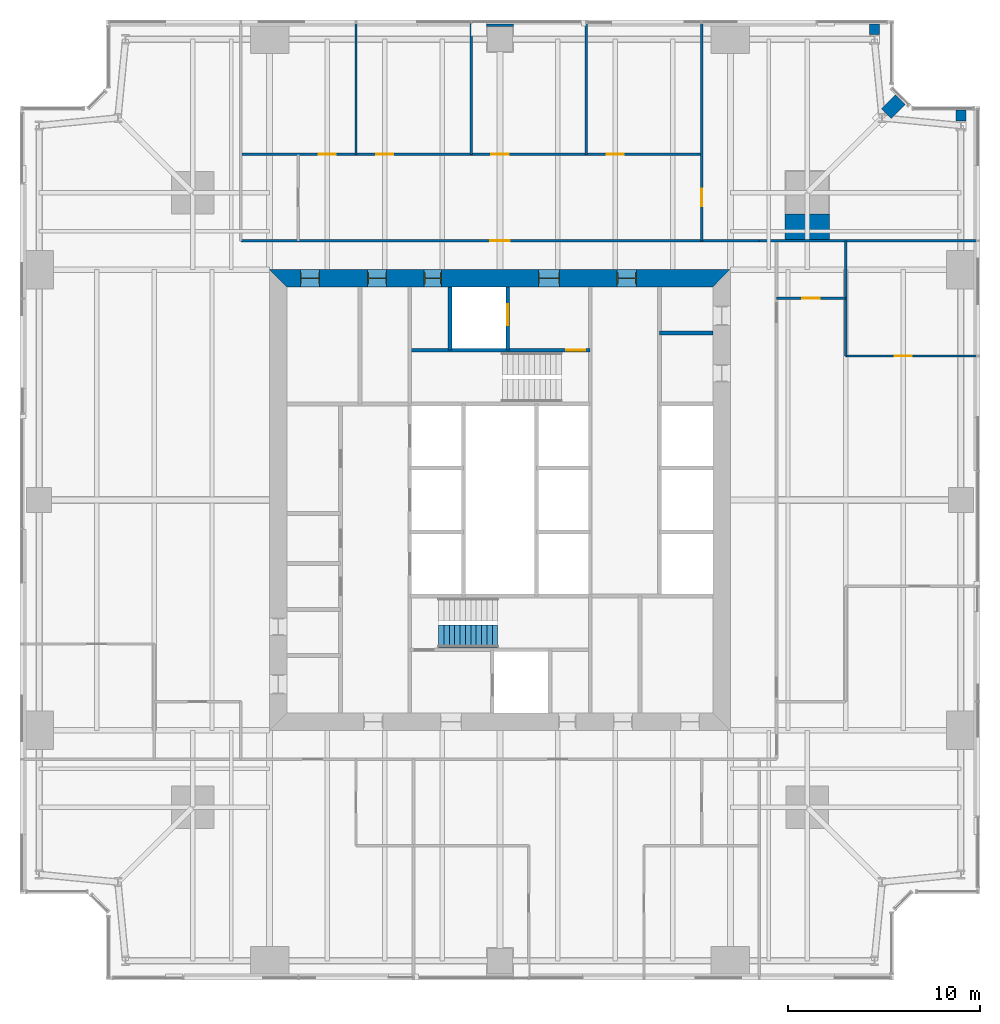
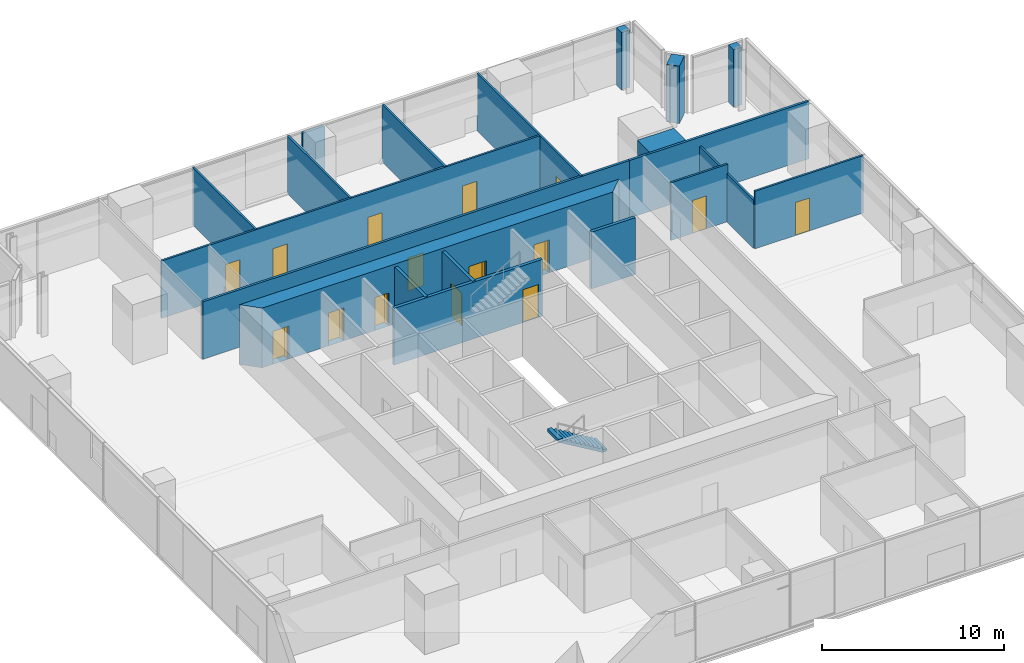
# One storey, part 11 of 14: 20 walls, 15 doors, 1 stair flight, 15 openings, 1 element without a shape of its own.
"""IFC4 building model written with IfcOpenShell, lengths in metres."""

from ifc_helpers import new_model, si_unit, direction, frame, frame_2d, origin, place, context, subcontext, project, spatial, polyline, rectangle, outline, extrude, material, layer, layer_set, type_object, element, fill, aggregate, save


model = new_model("IFC4")

# Units and contexts
model_context = context("Model", 3, precision=1e-05, world=origin(), true_north=direction((0.0, 1.0)))
body_context = subcontext(model_context, "Body", "Model", "MODEL_VIEW")
ifc_project = project(units=[si_unit("LENGTHUNIT", "METRE"), si_unit("AREAUNIT", "SQUARE_METRE"), si_unit("VOLUMEUNIT", "CUBIC_METRE"), si_unit("PLANEANGLEUNIT", "RADIAN"), si_unit("MASSUNIT", "GRAM", prefix="KILO")], contexts=[model_context])

# Site, building, storey
site_placement = place(None, origin())
site = spatial("IfcSite", under=ifc_project, at=site_placement, CompositionType="ELEMENT")
building_placement = place(site_placement, origin())
building = spatial("IfcBuilding", under=site, at=building_placement, Name="Fenwick Lantern Interchange", CompositionType="ELEMENT")
storey_placement = place(building_placement, frame((0.0, 0.0, 154.39990234375)))
storey = spatial("IfcBuildingStorey", under=building, at=storey_placement, Name="L36", CompositionType="ELEMENT", Elevation=154.39990234375)

# Walls
ifc_material_1 = material(Name="Fire-rated gypsum board encasement on steel studs, 2 hour", Category="steel")
ifc_layer_1 = layer(ifc_material_1, 1.39990234375)
ifc_layer_set_1 = layer_set([ifc_layer_1], Name="COLUMN PIER 1400")
wall_type_1 = type_object("IfcWallType", Name="COLUMN PIER 1400", PredefinedType="PARTITIONING", material=ifc_layer_set_1)
wall_1_placement = place(storey_placement, frame((25.0, 49.800048828125, 0.0), z_axis=(0.0, 0.0, 1.0), x_axis=(0.0, -1.0, 0.0)))
element("IfcWall", 1, at=wall_1_placement, inside=storey, type_object=wall_type_1, Name="L36/W/PIER/CN3", PredefinedType="PARTITIONING", context=body_context, shape_type="SweptSolid", body=[
    extrude(rectangle(XDim=0.150146484375, YDim=1.39990234375, at=frame_2d((0.0751953125, 0.0))), origin(), (0.0, 0.0, 1.0), 3.85009765625),
])
ifc_layer_2 = layer(ifc_material_1, 2.300048828125)
ifc_layer_set_2 = layer_set([ifc_layer_2], Name="COLUMN PIER 2300")
wall_type_2 = type_object("IfcWallType", Name="COLUMN PIER 2300", PredefinedType="PARTITIONING", material=ifc_layer_set_2)
wall_2_placement = place(storey_placement, frame((41.0, 38.574951171875, 0.0), z_axis=(0.0, 0.0, 1.0), x_axis=(0.0, 1.0, 0.0)))
element("IfcWall", 2, at=wall_2_placement, inside=storey, type_object=wall_type_2, Name="L36/W/PIER/M3", PredefinedType="PARTITIONING", context=body_context, shape_type="SweptSolid", body=[
    extrude(rectangle(XDim=1.324951171875, YDim=2.300048828125, at=frame_2d((0.66259765625, 0.0))), origin(), (0.0, 0.0, 1.0), 3.85009765625),
])
ifc_layer_3 = layer(ifc_material_1, 0.52392578125)
ifc_layer_set_3 = layer_set([ifc_layer_3], Name="COLUMN PIER 524")
wall_type_3 = type_object("IfcWallType", Name="COLUMN PIER 524", PredefinedType="PARTITIONING", material=ifc_layer_set_3)
for number, where, z_axis, x_axis, name in (
    (3, (49.0, 45.300048828125, 0.0), (0.0, 0.0, 1.0), (0.0, -1.0, 0.0), "L36/W/PIER/CE5"),
    (4, (44.5, 49.800048828125, 0.0), (0.0, 0.0, 1.0), (0.0, -1.0, 0.0), "L36/W/PIER/CN1"),
):
    element("IfcWall", number, at=place(storey_placement, frame(where, z_axis=z_axis, x_axis=x_axis)), inside=storey, type_object=wall_type_3, Name=name, PredefinedType="PARTITIONING", context=body_context, shape_type="SweptSolid", body=[
        extrude(rectangle(XDim=0.5625, YDim=0.52392578125, at=frame_2d((0.28125, 0.0))), origin(), (0.0, 0.0, 1.0), 3.85009765625),
    ])
ifc_layer_4 = layer(ifc_material_1, 0.736083984375)
ifc_layer_set_4 = layer_set([ifc_layer_4], Name="COLUMN PIER 736")
wall_type_4 = type_object("IfcWallType", Name="COLUMN PIER 736", PredefinedType="PARTITIONING", material=ifc_layer_set_4)
wall_3_placement = place(storey_placement, frame((45.858642578125, 45.858642578125, 0.0), z_axis=(0.0, 0.0, 1.0), x_axis=(-0.707106781187, -0.707106781187, 0.0)))
element("IfcWall", 5, at=wall_3_placement, inside=storey, type_object=wall_type_4, Name="L36/W/PIER/CER", PredefinedType="PARTITIONING", context=body_context, shape_type="SweptSolid", body=[
    extrude(rectangle(XDim=1.037841796875, YDim=0.736083984375, at=frame_2d((0.51904296875, 0.0))), origin(), (0.0, 0.0, 1.0), 3.85009765625),
])

# Wall, opening, door
ifc_material_2 = material(Name="Concrete masonry ASTM C90 Grade N", Category="masonry")
ifc_layer_5 = layer(ifc_material_2, 0.199951171875)
ifc_layer_set_5 = layer_set([ifc_layer_5], Name="Concrete masonry ASTM C90 Grade N")
wall_type_5 = type_object("IfcWallType", Name="CORE PARTITION 200", PredefinedType="PARTITIONING", material=ifc_layer_set_5)
wall_4_placement = place(storey_placement, frame((25.39990234375, 36.10009765625, 0.0), z_axis=(0.0, 0.0, 1.0), x_axis=(0.0, -1.0, 0.0)))
wall_4 = element("IfcWall", 6, at=wall_4_placement, inside=storey, type_object=wall_type_5, Name="L36/W/COREN/h1", PredefinedType="PARTITIONING", context=body_context, shape_type="SweptSolid", body=[
    extrude(rectangle(XDim=3.300048828125, YDim=0.199951171875, at=frame_2d((1.64990234375, 0.0))), origin(), (0.0, 0.0, 1.0), 3.800048828125),
])
opening_1_placement = place(wall_4_placement, frame((0.89990234375, 0.0, 0.0)))
opening_1 = element("IfcOpeningElement", 7, at=opening_1_placement, cuts=wall_4, Name="Opening LD-FL2", PredefinedType="OPENING", context=body_context, shape_type="SweptSolid", body=[
    extrude(rectangle(XDim=1.10009765625, YDim=2.199951171875, at=frame_2d((0.550048828125, 1.10009765625))), frame((0.0, 0.10986328125, 0.0), z_axis=(0.0, -1.0, 0.0), x_axis=(1.0, 0.0, 0.0)), (0.0, 0.0, 1.0), 0.219970703125),
])
ifc_material_3 = material(Name="Steel door and frame", Category="steel")
door_type_1 = type_object("IfcDoorType", Name="LIFT LANDING DOOR 1100 X 2200", OperationType="DOUBLE_DOOR_SLIDING", PredefinedType="DOOR", material=ifc_material_3)
door_1_placement = place(opening_1_placement, origin())
door_1 = element("IfcDoor", 8, at=door_1_placement, inside=storey, type_object=door_type_1, Name="Lift landing door FL2", OperationType="DOUBLE_DOOR_SLIDING", OverallHeight=2.199951171875, OverallWidth=1.10009765625, PredefinedType="DOOR", context=body_context, shape_type="SweptSolid", body=[
    extrude(rectangle(XDim=1.10009765625, YDim=2.199951171875, at=frame_2d((0.550048828125, 1.10009765625))), frame((0.0, 0.02490234375, 0.0), z_axis=(0.0, -1.0, 0.0), x_axis=(1.0, 0.0, 0.0)), (0.0, 0.0, 1.0), 0.050048828125),
])
fill(opening_1, door_1)

# Walls
wall_5_placement = place(storey_placement, frame((22.39990234375, 36.10009765625, 0.0), z_axis=(0.0, 0.0, 1.0), x_axis=(0.0, -1.0, 0.0)))
element("IfcWall", 9, at=wall_5_placement, inside=storey, type_object=wall_type_5, Name="L36/W/COREN/h2", PredefinedType="PARTITIONING", context=body_context, shape_type="SweptSolid", body=[
    extrude(rectangle(XDim=3.300048828125, YDim=0.199951171875, at=frame_2d((1.64990234375, 0.0))), origin(), (0.0, 0.0, 1.0), 3.800048828125),
])
wall_6_placement = place(storey_placement, frame((36.10009765625, 33.699951171875, 0.0), z_axis=(0.0, 0.0, 1.0), x_axis=(-1.0, 0.0, 0.0)))
element("IfcWall", 10, at=wall_6_placement, inside=storey, type_object=wall_type_5, Name="L36/W/COREN/p1", PredefinedType="PARTITIONING", context=body_context, shape_type="SweptSolid", body=[
    extrude(rectangle(XDim=2.800048828125, YDim=0.199951171875, at=frame_2d((1.39990234375, 0.0))), origin(), (0.0, 0.0, 1.0), 3.800048828125),
])

# Wall, openings, doors
ifc_material_4 = material(Name="Concrete f'c 70 MPa", Category="concrete")
ifc_layer_6 = layer(ifc_material_4, 0.89990234375)
ifc_layer_set_6 = layer_set([ifc_layer_6], Name="CORE WALL 900")
wall_type_6 = type_object("IfcWallType", Name="CORE WALL 900", PredefinedType="SHEAR", material=ifc_layer_set_6)
wall_7_placement = place(storey_placement, frame((37.0, 36.550048828125, 0.0), z_axis=(0.0, 0.0, 1.0), x_axis=(-1.0, 0.0, 0.0)))
wall_7 = element("IfcWall", 11, at=wall_7_placement, inside=storey, type_object=wall_type_6, Name="L36/CORE/N", PredefinedType="SHEAR", context=body_context, shape_type="SweptSolid", body=[
    extrude(outline(polyline([(0.0, -0.449951171875), (24.0, -0.449951171875), (23.10009765625, 0.449951171875), (0.89990234375, 0.449951171875), (0.0, -0.449951171875)])), origin(), (0.0, 0.0, 1.0), 4.0),
])
opening_2_placement = place(wall_7_placement, frame((4.89990234375, 0.0, 0.0)))
opening_2 = element("IfcOpeningElement", 12, at=opening_2_placement, cuts=wall_7, Name="Opening L36-D012", PredefinedType="OPENING", context=body_context, shape_type="SweptSolid", body=[
    extrude(rectangle(XDim=1.0, YDim=2.199951171875, at=frame_2d((0.5, 1.10009765625))), frame((0.0, 0.4599609375, 0.0), z_axis=(0.0, -1.0, 0.0), x_axis=(1.0, 0.0, 0.0)), (0.0, 0.0, 1.0), 0.919921875),
])
opening_3_placement = place(wall_7_placement, frame((8.89990234375, 0.0, 0.0)))
opening_3 = element("IfcOpeningElement", 13, at=opening_3_placement, cuts=wall_7, Name="Opening L36-D013", PredefinedType="OPENING", context=body_context, shape_type="SweptSolid", body=[
    extrude(rectangle(XDim=1.10009765625, YDim=2.199951171875, at=frame_2d((0.550048828125, 1.10009765625))), frame((0.0, 0.4599609375, 0.0), z_axis=(0.0, -1.0, 0.0), x_axis=(1.0, 0.0, 0.0)), (0.0, 0.0, 1.0), 0.919921875),
])
opening_4_placement = place(wall_7_placement, frame((15.050048828125, 0.0, 0.0)))
opening_4 = element("IfcOpeningElement", 14, at=opening_4_placement, cuts=wall_7, Name="Opening L36-D015", PredefinedType="OPENING", context=body_context, shape_type="SweptSolid", body=[
    extrude(rectangle(XDim=0.89990234375, YDim=2.199951171875, at=frame_2d((0.449951171875, 1.10009765625))), frame((0.0, 0.4599609375, 0.0), z_axis=(0.0, -1.0, 0.0), x_axis=(1.0, 0.0, 0.0)), (0.0, 0.0, 1.0), 0.919921875),
])
opening_5_placement = place(wall_7_placement, frame((17.89990234375, 0.0, 0.0)))
opening_5 = element("IfcOpeningElement", 15, at=opening_5_placement, cuts=wall_7, Name="Opening L36-D016", PredefinedType="OPENING", context=body_context, shape_type="SweptSolid", body=[
    extrude(rectangle(XDim=1.0, YDim=2.199951171875, at=frame_2d((0.5, 1.10009765625))), frame((0.0, 0.4599609375, 0.0), z_axis=(0.0, -1.0, 0.0), x_axis=(1.0, 0.0, 0.0)), (0.0, 0.0, 1.0), 0.919921875),
])
opening_6_placement = place(wall_7_placement, frame((21.39990234375, 0.0, 0.0)))
opening_6 = element("IfcOpeningElement", 16, at=opening_6_placement, cuts=wall_7, Name="Opening L36-D017", PredefinedType="OPENING", context=body_context, shape_type="SweptSolid", body=[
    extrude(rectangle(XDim=1.0, YDim=2.199951171875, at=frame_2d((0.5, 1.10009765625))), frame((0.0, 0.4599609375, 0.0), z_axis=(0.0, -1.0, 0.0), x_axis=(1.0, 0.0, 0.0)), (0.0, 0.0, 1.0), 0.919921875),
])
door_type_2 = type_object("IfcDoorType", Name="CORE LOBBY DOOR 1000 X 2200", OperationType="SINGLE_SWING_LEFT", PredefinedType="DOOR", material=ifc_material_3)
door_2_placement = place(opening_2_placement, origin())
door_2 = element("IfcDoor", 17, at=door_2_placement, inside=storey, type_object=door_type_2, Name="Core lobby door", OperationType="SINGLE_SWING_LEFT", OverallHeight=2.199951171875, OverallWidth=1.0, PredefinedType="DOOR", context=body_context, shape_type="SweptSolid", body=[
    extrude(rectangle(XDim=1.0, YDim=2.199951171875, at=frame_2d((0.5, 1.10009765625))), frame((0.0, 0.02490234375, 0.0), z_axis=(0.0, -1.0, 0.0), x_axis=(1.0, 0.0, 0.0)), (0.0, 0.0, 1.0), 0.050048828125),
    extrude(outline(polyline([(0.0, 0.0), (0.0400390625, 0.0), (0.0400390625, 2.159912109375), (0.9599609375, 2.159912109375), (0.9599609375, 0.0), (1.0, 0.0), (1.0, 2.199951171875), (0.0, 2.199951171875), (0.0, 0.0)])), frame((0.0, 0.300048828125, 0.0), z_axis=(0.0, -1.0, 0.0), x_axis=(1.0, 0.0, 0.0)), (0.0, 0.0, 1.0), 0.60009765625),
])
fill(opening_2, door_2)
door_type_3 = type_object("IfcDoorType", Name="FIRE LOBBY DOOR 1100 X 2200", OperationType="SINGLE_SWING_LEFT", PredefinedType="DOOR", material=ifc_material_3)
door_3_placement = place(opening_3_placement, origin())
door_3 = element("IfcDoor", 18, at=door_3_placement, inside=storey, type_object=door_type_3, Name="Fire lobby door", OperationType="SINGLE_SWING_LEFT", OverallHeight=2.199951171875, OverallWidth=1.10009765625, PredefinedType="DOOR", context=body_context, shape_type="SweptSolid", body=[
    extrude(rectangle(XDim=1.10009765625, YDim=2.199951171875, at=frame_2d((0.550048828125, 1.10009765625))), frame((0.0, 0.02490234375, 0.0), z_axis=(0.0, -1.0, 0.0), x_axis=(1.0, 0.0, 0.0)), (0.0, 0.0, 1.0), 0.050048828125),
    extrude(outline(polyline([(0.0, 0.0), (0.0400390625, 0.0), (0.0400390625, 2.159912109375), (1.06005859375, 2.159912109375), (1.06005859375, 0.0), (1.10009765625, 0.0), (1.10009765625, 2.199951171875), (0.0, 2.199951171875), (0.0, 0.0)])), frame((0.0, 0.300048828125, 0.0), z_axis=(0.0, -1.0, 0.0), x_axis=(1.0, 0.0, 0.0)), (0.0, 0.0, 1.0), 0.60009765625),
])
fill(opening_3, door_3)
door_type_4 = type_object("IfcDoorType", Name="SERVICE DOOR 900 X 2200", OperationType="SINGLE_SWING_LEFT", PredefinedType="DOOR", material=ifc_material_3)
door_4_placement = place(opening_4_placement, origin())
door_4 = element("IfcDoor", 19, at=door_4_placement, inside=storey, type_object=door_type_4, Name="Service door", OperationType="SINGLE_SWING_LEFT", OverallHeight=2.199951171875, OverallWidth=0.89990234375, PredefinedType="DOOR", context=body_context, shape_type="SweptSolid", body=[
    extrude(rectangle(XDim=0.89990234375, YDim=2.199951171875, at=frame_2d((0.449951171875, 1.10009765625))), frame((0.0, 0.02490234375, 0.0), z_axis=(0.0, -1.0, 0.0), x_axis=(1.0, 0.0, 0.0)), (0.0, 0.0, 1.0), 0.050048828125),
    extrude(outline(polyline([(0.0, 0.0), (0.0400390625, 0.0), (0.0400390625, 2.159912109375), (0.85986328125, 2.159912109375), (0.85986328125, 0.0), (0.89990234375, 0.0), (0.89990234375, 2.199951171875), (0.0, 2.199951171875), (0.0, 0.0)])), frame((0.0, 0.300048828125, 0.0), z_axis=(0.0, -1.0, 0.0), x_axis=(1.0, 0.0, 0.0)), (0.0, 0.0, 1.0), 0.60009765625),
])
fill(opening_4, door_4)
ifc_material_5 = material(Name="Hardwood door and steel frame", Category="steel")
door_type_5 = type_object("IfcDoorType", Name="WC DOOR 1000 X 2200", OperationType="SINGLE_SWING_LEFT", PredefinedType="DOOR", material=ifc_material_5)
door_5_placement = place(opening_5_placement, origin())
door_5 = element("IfcDoor", 20, at=door_5_placement, inside=storey, type_object=door_type_5, Name="Wc door", OperationType="SINGLE_SWING_RIGHT", OverallHeight=2.199951171875, OverallWidth=1.0, PredefinedType="DOOR", context=body_context, shape_type="SweptSolid", body=[
    extrude(rectangle(XDim=1.0, YDim=2.199951171875, at=frame_2d((0.5, 1.10009765625))), frame((0.0, 0.02490234375, 0.0), z_axis=(0.0, -1.0, 0.0), x_axis=(1.0, 0.0, 0.0)), (0.0, 0.0, 1.0), 0.050048828125),
    extrude(outline(polyline([(0.0, 0.0), (0.0400390625, 0.0), (0.0400390625, 2.159912109375), (0.9599609375, 2.159912109375), (0.9599609375, 0.0), (1.0, 0.0), (1.0, 2.199951171875), (0.0, 2.199951171875), (0.0, 0.0)])), frame((0.0, 0.300048828125, 0.0), z_axis=(0.0, -1.0, 0.0), x_axis=(1.0, 0.0, 0.0)), (0.0, 0.0, 1.0), 0.60009765625),
])
fill(opening_5, door_5)
door_6_placement = place(opening_6_placement, origin())
door_6 = element("IfcDoor", 21, at=door_6_placement, inside=storey, type_object=door_type_5, Name="Wc door", OperationType="SINGLE_SWING_RIGHT", OverallHeight=2.199951171875, OverallWidth=1.0, PredefinedType="DOOR", context=body_context, shape_type="SweptSolid", body=[
    extrude(rectangle(XDim=1.0, YDim=2.199951171875, at=frame_2d((0.5, 1.10009765625))), frame((0.0, 0.02490234375, 0.0), z_axis=(0.0, -1.0, 0.0), x_axis=(1.0, 0.0, 0.0)), (0.0, 0.0, 1.0), 0.050048828125),
    extrude(outline(polyline([(0.0, 0.0), (0.0400390625, 0.0), (0.0400390625, 2.159912109375), (0.9599609375, 2.159912109375), (0.9599609375, 0.0), (1.0, 0.0), (1.0, 2.199951171875), (0.0, 2.199951171875), (0.0, 0.0)])), frame((0.0, 0.300048828125, 0.0), z_axis=(0.0, -1.0, 0.0), x_axis=(1.0, 0.0, 0.0)), (0.0, 0.0, 1.0), 0.60009765625),
])
fill(opening_6, door_6)

# Wall, opening, door
ifc_material_6 = material(Name="Gypsum board on steel studs, 1 hour", Category="steel")
ifc_layer_7 = layer(ifc_material_6, 0.14990234375)
ifc_layer_set_7 = layer_set([ifc_layer_7], Name="CORRIDOR WALL 150")
wall_type_7 = type_object("IfcWallType", Name="CORRIDOR WALL 150", PredefinedType="PARTITIONING", material=ifc_layer_set_7)
wall_8_placement = place(storey_placement, frame((38.5, 38.5, 0.0), z_axis=(0.0, 0.0, 1.0), x_axis=(-1.0, 0.0, 0.0)))
wall_8 = element("IfcWall", 22, at=wall_8_placement, inside=storey, type_object=wall_type_7, Name="L36/W/OFF/N/CW", PredefinedType="PARTITIONING", context=body_context, shape_type="SweptSolid", body=[
    extrude(rectangle(XDim=27.0, YDim=0.14990234375, at=frame_2d((13.5, 0.0))), origin(), (0.0, 0.0, 1.0), 3.85009765625),
])
opening_7_placement = place(wall_8_placement, frame((13.0, 0.0, 0.0)))
opening_7 = element("IfcOpeningElement", 23, at=opening_7_placement, cuts=wall_8, Name="Opening L36-D032", PredefinedType="OPENING", context=body_context, shape_type="SweptSolid", body=[
    extrude(rectangle(XDim=1.0, YDim=2.199951171875, at=frame_2d((0.5, 1.10009765625))), frame((0.0, 0.0849609375, 0.0), z_axis=(0.0, -1.0, 0.0), x_axis=(1.0, 0.0, 0.0)), (0.0, 0.0, 1.0), 0.169921875),
])
door_type_6 = type_object("IfcDoorType", Name="SUITE ENTRANCE DOOR 1000 X 2200", OperationType="SINGLE_SWING_LEFT", PredefinedType="DOOR", material=ifc_material_3)
door_7_placement = place(opening_7_placement, frame((1.0, 0.0, 0.0), z_axis=(0.0, 0.0, 1.0), x_axis=(-1.0, 0.0, 0.0)))
door_7 = element("IfcDoor", 24, at=door_7_placement, inside=storey, type_object=door_type_6, Name="Suite entrance door", OperationType="SINGLE_SWING_RIGHT", OverallHeight=2.199951171875, OverallWidth=1.0, PredefinedType="DOOR", context=body_context, shape_type="SweptSolid", body=[
    extrude(rectangle(XDim=1.0, YDim=2.199951171875, at=frame_2d((0.5, 1.10009765625))), frame((0.0, 0.02490234375, 0.0), z_axis=(0.0, -1.0, 0.0), x_axis=(1.0, 0.0, 0.0)), (0.0, 0.0, 1.0), 0.050048828125),
])
fill(opening_7, door_7)

ifc_material_7 = material(Name="Gypsum board on steel studs, acoustic", Category="steel")
ifc_layer_8 = layer(ifc_material_7, 0.125)
ifc_layer_set_8 = layer_set([ifc_layer_8], Name="OFFICE PARTITION 125")
wall_type_8 = type_object("IfcWallType", Name="OFFICE PARTITION 125", PredefinedType="PARTITIONING", material=ifc_layer_set_8)
wall_9_placement = place(storey_placement, frame((49.85009765625, 32.5, 0.0), z_axis=(0.0, 0.0, 1.0), x_axis=(-1.0, 0.0, 0.0)))
wall_9 = element("IfcWall", 25, at=wall_9_placement, inside=storey, type_object=wall_type_8, Name="L36/W/OFF/E/X325-1", PredefinedType="PARTITIONING", context=body_context, shape_type="SweptSolid", body=[
    extrude(rectangle(XDim=6.85009765625, YDim=0.125, at=frame_2d((3.425048828125, 0.0))), origin(), (0.0, 0.0, 1.0), 3.85009765625),
])
opening_8_placement = place(wall_9_placement, frame((3.39990234375, 0.0, 0.0)))
opening_8 = element("IfcOpeningElement", 26, at=opening_8_placement, cuts=wall_9, Name="Opening L36-D030", PredefinedType="OPENING", context=body_context, shape_type="SweptSolid", body=[
    extrude(rectangle(XDim=0.89990234375, YDim=2.199951171875, at=frame_2d((0.449951171875, 1.10009765625))), frame((0.0, 0.072509765625, 0.0), z_axis=(0.0, -1.0, 0.0), x_axis=(1.0, 0.0, 0.0)), (0.0, 0.0, 1.0), 0.14501953125),
])
door_type_7 = type_object("IfcDoorType", Name="OFFICE DOOR 900 X 2200", OperationType="SINGLE_SWING_LEFT", PredefinedType="DOOR", material=ifc_material_5)
door_8_placement = place(opening_8_placement, frame((0.89990234375, 0.0, 0.0), z_axis=(0.0, 0.0, 1.0), x_axis=(-1.0, 0.0, 0.0)))
door_8 = element("IfcDoor", 27, at=door_8_placement, inside=storey, type_object=door_type_7, Name="Office door", OperationType="SINGLE_SWING_LEFT", OverallHeight=2.199951171875, OverallWidth=0.89990234375, PredefinedType="DOOR", context=body_context, shape_type="SweptSolid", body=[
    extrude(rectangle(XDim=0.89990234375, YDim=2.199951171875, at=frame_2d((0.449951171875, 1.10009765625))), frame((0.0, 0.02490234375, 0.0), z_axis=(0.0, -1.0, 0.0), x_axis=(1.0, 0.0, 0.0)), (0.0, 0.0, 1.0), 0.050048828125),
])
fill(opening_8, door_8)

wall_10_placement = place(storey_placement, frame((43.0, 35.5, 0.0), z_axis=(0.0, 0.0, 1.0), x_axis=(-1.0, 0.0, 0.0)))
wall_10 = element("IfcWall", 28, at=wall_10_placement, inside=storey, type_object=wall_type_8, Name="L36/W/OFF/E/X355-1", PredefinedType="PARTITIONING", context=body_context, shape_type="SweptSolid", body=[
    extrude(rectangle(XDim=3.60009765625, YDim=0.125, at=frame_2d((1.800048828125, 0.0))), origin(), (0.0, 0.0, 1.0), 3.85009765625),
])
opening_9_placement = place(wall_10_placement, frame((1.35009765625, 0.0, 0.0)))
opening_9 = element("IfcOpeningElement", 29, at=opening_9_placement, cuts=wall_10, Name="Opening L36-D031", PredefinedType="OPENING", context=body_context, shape_type="SweptSolid", body=[
    extrude(rectangle(XDim=0.89990234375, YDim=2.199951171875, at=frame_2d((0.449951171875, 1.10009765625))), frame((0.0, 0.072509765625, 0.0), z_axis=(0.0, -1.0, 0.0), x_axis=(1.0, 0.0, 0.0)), (0.0, 0.0, 1.0), 0.14501953125),
])
door_9_placement = place(opening_9_placement, frame((0.89990234375, 0.0, 0.0), z_axis=(0.0, 0.0, 1.0), x_axis=(-1.0, 0.0, 0.0)))
door_9 = element("IfcDoor", 30, at=door_9_placement, inside=storey, type_object=door_type_7, Name="Office door", OperationType="SINGLE_SWING_RIGHT", OverallHeight=2.199951171875, OverallWidth=0.89990234375, PredefinedType="DOOR", context=body_context, shape_type="SweptSolid", body=[
    extrude(rectangle(XDim=0.89990234375, YDim=2.199951171875, at=frame_2d((0.449951171875, 1.10009765625))), frame((0.0, 0.02490234375, 0.0), z_axis=(0.0, -1.0, 0.0), x_axis=(1.0, 0.0, 0.0)), (0.0, 0.0, 1.0), 0.050048828125),
])
fill(opening_9, door_9)

# Wall
wall_11_placement = place(storey_placement, frame((43.0, 32.5, 0.0), z_axis=(0.0, 0.0, 1.0), x_axis=(0.0, 1.0, 0.0)))
element("IfcWall", 31, at=wall_11_placement, inside=storey, type_object=wall_type_8, Name="L36/W/OFF/E/Y70-2", PredefinedType="PARTITIONING", context=body_context, shape_type="SweptSolid", body=[
    extrude(rectangle(XDim=6.0, YDim=0.125, at=frame_2d((3.0, 0.0))), origin(), (0.0, 0.0, 1.0), 3.238037109375),
])

# Wall, opening, door
wall_12_placement = place(storey_placement, frame((35.5, 49.85009765625, 0.0), z_axis=(0.0, 0.0, 1.0), x_axis=(0.0, -1.0, 0.0)))
wall_12 = element("IfcWall", 32, at=wall_12_placement, inside=storey, type_object=wall_type_8, Name="L36/W/OFF/N/X145-1", PredefinedType="PARTITIONING", context=body_context, shape_type="SweptSolid", body=[
    extrude(rectangle(XDim=11.35009765625, YDim=0.125, at=frame_2d((5.675048828125, 0.0))), origin(), (0.0, 0.0, 1.0), 3.85009765625),
])
opening_10_placement = place(wall_12_placement, frame((8.64990234375, 0.0, 0.0)))
opening_10 = element("IfcOpeningElement", 33, at=opening_10_placement, cuts=wall_12, Name="Opening L36-D033", PredefinedType="OPENING", context=body_context, shape_type="SweptSolid", body=[
    extrude(rectangle(XDim=0.89990234375, YDim=2.199951171875, at=frame_2d((0.449951171875, 1.10009765625))), frame((0.0, 0.072509765625, 0.0), z_axis=(0.0, -1.0, 0.0), x_axis=(1.0, 0.0, 0.0)), (0.0, 0.0, 1.0), 0.14501953125),
])
door_10_placement = place(opening_10_placement, frame((0.89990234375, 0.0, 0.0), z_axis=(0.0, 0.0, 1.0), x_axis=(-1.0, 0.0, 0.0)))
door_10 = element("IfcDoor", 34, at=door_10_placement, inside=storey, type_object=door_type_7, Name="Office door", OperationType="SINGLE_SWING_RIGHT", OverallHeight=2.199951171875, OverallWidth=0.89990234375, PredefinedType="DOOR", context=body_context, shape_type="SweptSolid", body=[
    extrude(rectangle(XDim=0.89990234375, YDim=2.199951171875, at=frame_2d((0.449951171875, 1.10009765625))), frame((0.0, 0.02490234375, 0.0), z_axis=(0.0, -1.0, 0.0), x_axis=(1.0, 0.0, 0.0)), (0.0, 0.0, 1.0), 0.050048828125),
])
fill(opening_10, door_10)

# Walls
for number, where, z_axis, x_axis, name in (
    (35, (29.5, 49.85009765625, 0.0), (0.0, 0.0, 1.0), (0.0, -1.0, 0.0), "L36/W/OFF/N/X205-1"),
    (36, (23.5, 49.85009765625, 0.0), (0.0, 0.0, 1.0), (0.0, -1.0, 0.0), "L36/W/OFF/N/X265-1"),
    (37, (17.5, 49.85009765625, 0.0), (0.0, 0.0, 1.0), (0.0, -1.0, 0.0), "L36/W/OFF/N/X325-1"),
):
    element("IfcWall", number, at=place(storey_placement, frame(where, z_axis=z_axis, x_axis=x_axis)), inside=storey, type_object=wall_type_8, Name=name, PredefinedType="PARTITIONING", context=body_context, shape_type="SweptSolid", body=[
        extrude(rectangle(XDim=6.85009765625, YDim=0.125, at=frame_2d((3.425048828125, 0.0))), origin(), (0.0, 0.0, 1.0), 3.85009765625),
    ])

# Wall, openings, doors
wall_13_placement = place(storey_placement, frame((35.5, 43.0, 0.0), z_axis=(0.0, 0.0, 1.0), x_axis=(-1.0, 0.0, 0.0)))
wall_13 = element("IfcWall", 38, at=wall_13_placement, inside=storey, type_object=wall_type_8, Name="L36/W/OFF/N/Y70-1", PredefinedType="PARTITIONING", context=body_context, shape_type="SweptSolid", body=[
    extrude(rectangle(XDim=24.0, YDim=0.125, at=frame_2d((12.0, 0.0))), origin(), (0.0, 0.0, 1.0), 3.85009765625),
])
opening_11_placement = place(wall_13_placement, frame((4.050048828125, 0.0, 0.0)))
opening_11 = element("IfcOpeningElement", 39, at=opening_11_placement, cuts=wall_13, Name="Opening L36-D034", PredefinedType="OPENING", context=body_context, shape_type="SweptSolid", body=[
    extrude(rectangle(XDim=0.89990234375, YDim=2.199951171875, at=frame_2d((0.449951171875, 1.10009765625))), frame((0.0, 0.072509765625, 0.0), z_axis=(0.0, -1.0, 0.0), x_axis=(1.0, 0.0, 0.0)), (0.0, 0.0, 1.0), 0.14501953125),
])
opening_12_placement = place(wall_13_placement, frame((10.050048828125, 0.0, 0.0)))
opening_12 = element("IfcOpeningElement", 40, at=opening_12_placement, cuts=wall_13, Name="Opening L36-D035", PredefinedType="OPENING", context=body_context, shape_type="SweptSolid", body=[
    extrude(rectangle(XDim=0.89990234375, YDim=2.199951171875, at=frame_2d((0.449951171875, 1.10009765625))), frame((0.0, 0.072509765625, 0.0), z_axis=(0.0, -1.0, 0.0), x_axis=(1.0, 0.0, 0.0)), (0.0, 0.0, 1.0), 0.14501953125),
])
opening_13_placement = place(wall_13_placement, frame((16.050048828125, 0.0, 0.0)))
opening_13 = element("IfcOpeningElement", 41, at=opening_13_placement, cuts=wall_13, Name="Opening L36-D036", PredefinedType="OPENING", context=body_context, shape_type="SweptSolid", body=[
    extrude(rectangle(XDim=0.89990234375, YDim=2.199951171875, at=frame_2d((0.449951171875, 1.10009765625))), frame((0.0, 0.072509765625, 0.0), z_axis=(0.0, -1.0, 0.0), x_axis=(1.0, 0.0, 0.0)), (0.0, 0.0, 1.0), 0.14501953125),
])
opening_14_placement = place(wall_13_placement, frame((19.050048828125, 0.0, 0.0)))
opening_14 = element("IfcOpeningElement", 42, at=opening_14_placement, cuts=wall_13, Name="Opening L36-D037", PredefinedType="OPENING", context=body_context, shape_type="SweptSolid", body=[
    extrude(rectangle(XDim=0.89990234375, YDim=2.199951171875, at=frame_2d((0.449951171875, 1.10009765625))), frame((0.0, 0.072509765625, 0.0), z_axis=(0.0, -1.0, 0.0), x_axis=(1.0, 0.0, 0.0)), (0.0, 0.0, 1.0), 0.14501953125),
])
door_11_placement = place(opening_11_placement, frame((0.89990234375, 0.0, 0.0), z_axis=(0.0, 0.0, 1.0), x_axis=(-1.0, 0.0, 0.0)))
door_11 = element("IfcDoor", 43, at=door_11_placement, inside=storey, type_object=door_type_7, Name="Office door", OperationType="SINGLE_SWING_LEFT", OverallHeight=2.199951171875, OverallWidth=0.89990234375, PredefinedType="DOOR", context=body_context, shape_type="SweptSolid", body=[
    extrude(rectangle(XDim=0.89990234375, YDim=2.199951171875, at=frame_2d((0.449951171875, 1.10009765625))), frame((0.0, 0.02490234375, 0.0), z_axis=(0.0, -1.0, 0.0), x_axis=(1.0, 0.0, 0.0)), (0.0, 0.0, 1.0), 0.050048828125),
])
fill(opening_11, door_11)
door_12_placement = place(opening_12_placement, frame((0.89990234375, 0.0, 0.0), z_axis=(0.0, 0.0, 1.0), x_axis=(-1.0, 0.0, 0.0)))
door_12 = element("IfcDoor", 44, at=door_12_placement, inside=storey, type_object=door_type_7, Name="Office door", OperationType="SINGLE_SWING_LEFT", OverallHeight=2.199951171875, OverallWidth=0.89990234375, PredefinedType="DOOR", context=body_context, shape_type="SweptSolid", body=[
    extrude(rectangle(XDim=0.89990234375, YDim=2.199951171875, at=frame_2d((0.449951171875, 1.10009765625))), frame((0.0, 0.02490234375, 0.0), z_axis=(0.0, -1.0, 0.0), x_axis=(1.0, 0.0, 0.0)), (0.0, 0.0, 1.0), 0.050048828125),
])
fill(opening_12, door_12)
door_13_placement = place(opening_13_placement, frame((0.89990234375, 0.0, 0.0), z_axis=(0.0, 0.0, 1.0), x_axis=(-1.0, 0.0, 0.0)))
door_13 = element("IfcDoor", 45, at=door_13_placement, inside=storey, type_object=door_type_7, Name="Office door", OperationType="SINGLE_SWING_LEFT", OverallHeight=2.199951171875, OverallWidth=0.89990234375, PredefinedType="DOOR", context=body_context, shape_type="SweptSolid", body=[
    extrude(rectangle(XDim=0.89990234375, YDim=2.199951171875, at=frame_2d((0.449951171875, 1.10009765625))), frame((0.0, 0.02490234375, 0.0), z_axis=(0.0, -1.0, 0.0), x_axis=(1.0, 0.0, 0.0)), (0.0, 0.0, 1.0), 0.050048828125),
])
fill(opening_13, door_13)
door_14_placement = place(opening_14_placement, frame((0.89990234375, 0.0, 0.0), z_axis=(0.0, 0.0, 1.0), x_axis=(-1.0, 0.0, 0.0)))
door_14 = element("IfcDoor", 46, at=door_14_placement, inside=storey, type_object=door_type_7, Name="Office door", OperationType="SINGLE_SWING_RIGHT", OverallHeight=2.199951171875, OverallWidth=0.89990234375, PredefinedType="DOOR", context=body_context, shape_type="SweptSolid", body=[
    extrude(rectangle(XDim=0.89990234375, YDim=2.199951171875, at=frame_2d((0.449951171875, 1.10009765625))), frame((0.0, 0.02490234375, 0.0), z_axis=(0.0, -1.0, 0.0), x_axis=(1.0, 0.0, 0.0)), (0.0, 0.0, 1.0), 0.050048828125),
])
fill(opening_14, door_14)

# Wall, opening, door
ifc_material_8 = material(Name="Concrete f'c 45 MPa", Category="concrete")
ifc_layer_9 = layer(ifc_material_8, 0.199951171875)
ifc_layer_set_9 = layer_set([ifc_layer_9], Name="STAIR CORE WALL 200")
wall_type_9 = type_object("IfcWallType", Name="STAIR CORE WALL 200", PredefinedType="SOLIDWALL", material=ifc_layer_set_9)
wall_14_placement = place(storey_placement, frame((29.699951171875, 32.800048828125, 0.0), z_axis=(0.0, 0.0, 1.0), x_axis=(-1.0, 0.0, 0.0)))
wall_14 = element("IfcWall", 47, at=wall_14_placement, inside=storey, type_object=wall_type_9, Name="L36/W/COREN/g1", PredefinedType="SOLIDWALL", context=body_context, shape_type="SweptSolid", body=[
    extrude(rectangle(XDim=9.39990234375, YDim=0.199951171875, at=frame_2d((4.699951171875, 0.0))), origin(), (0.0, 0.0, 1.0), 3.800048828125),
])
opening_15_placement = place(wall_14_placement, frame((0.25, 0.0, 0.0)))
opening_15 = element("IfcOpeningElement", 48, at=opening_15_placement, cuts=wall_14, Name="Opening L36-D014", PredefinedType="OPENING", context=body_context, shape_type="SweptSolid", body=[
    extrude(rectangle(XDim=1.0, YDim=2.199951171875, at=frame_2d((0.5, 1.10009765625))), frame((0.0, 0.10986328125, 0.0), z_axis=(0.0, -1.0, 0.0), x_axis=(1.0, 0.0, 0.0)), (0.0, 0.0, 1.0), 0.219970703125),
])
door_type_8 = type_object("IfcDoorType", Name="STAIR DOOR 1000 X 2200", OperationType="SINGLE_SWING_LEFT", PredefinedType="DOOR", material=ifc_material_3)
door_15_placement = place(opening_15_placement, origin())
door_15 = element("IfcDoor", 49, at=door_15_placement, inside=storey, type_object=door_type_8, Name="Stair door", OperationType="SINGLE_SWING_LEFT", OverallHeight=2.199951171875, OverallWidth=1.0, PredefinedType="DOOR", context=body_context, shape_type="SweptSolid", body=[
    extrude(rectangle(XDim=1.0, YDim=2.199951171875, at=frame_2d((0.5, 1.10009765625))), frame((0.0, 0.02490234375, 0.0), z_axis=(0.0, -1.0, 0.0), x_axis=(1.0, 0.0, 0.0)), (0.0, 0.0, 1.0), 0.050048828125),
])
fill(opening_15, door_15)

# Wall
ifc_material_9 = material(Name="Gypsum board on steel studs, 1 hour acoustic", Category="steel")
ifc_layer_10 = layer(ifc_material_9, 0.14990234375)
ifc_layer_set_10 = layer_set([ifc_layer_10], Name="TENANT WALL 150")
wall_type_10 = type_object("IfcWallType", Name="TENANT WALL 150", PredefinedType="PARTITIONING", material=ifc_layer_set_10)
wall_15_placement = place(storey_placement, frame((49.85009765625, 38.5, 0.0), z_axis=(0.0, 0.0, 1.0), x_axis=(-1.0, 0.0, 0.0)))
element("IfcWall", 50, at=wall_15_placement, inside=storey, type_object=wall_type_10, Name="L36/W/OFF/N/BACK", PredefinedType="PARTITIONING", context=body_context, shape_type="SweptSolid", body=[
    extrude(rectangle(XDim=11.35009765625, YDim=0.14990234375, at=frame_2d((5.675048828125, 0.0))), origin(), (0.0, 0.0, 1.0), 3.85009765625),
])

# Stair, stair flight
ifc_material_10 = material(Name="Precast concrete f'c 35 MPa", Category="concrete")
stair_type = type_object("IfcStairType", Name="EXIT STAIR 1200", PredefinedType="HALF_TURN_STAIR", material=ifc_material_10)
stair_placement = place(storey_placement, origin())
stair = element("IfcStair", 51, at=stair_placement, inside=storey, type_object=stair_type, Name="Exit stair ST1", PredefinedType="HALF_TURN_STAIR")
stair_flight_type = type_object("IfcStairFlightType", Name="STAIR FLIGHT 1200", PredefinedType="STRAIGHT", material=ifc_material_10)
stair_flight_placement = place(storey_placement, frame((24.8798828125, 17.89990234375, 2.0), z_axis=(0.0, 0.0, 1.0), x_axis=(-1.0, 0.0, 0.0)))
stair_flight = element("IfcStairFlight", 52, at=stair_flight_placement, type_object=stair_flight_type, Name="ST1 flight 2", NumberOfRisers=12, NumberOfTreads=11, PredefinedType="STRAIGHT", RiserHeight=0.166666667, TreadLength=0.28, context=body_context, shape_type="SweptSolid", body=[
    extrude(outline(polyline([(0.0, 0.0), (0.0, 0.166748046875), (0.280029296875, 0.166748046875), (0.280029296875, 0.333251953125), (0.56005859375, 0.333251953125), (0.56005859375, 0.5), (0.840087890625, 0.5), (0.840087890625, 0.666748046875), (1.1201171875, 0.666748046875), (1.1201171875, 0.833251953125), (1.39990234375, 0.833251953125), (1.39990234375, 1.0), (1.679931640625, 1.0), (1.679931640625, 1.166748046875), (1.9599609375, 1.166748046875), (1.9599609375, 1.333251953125), (2.239990234375, 1.333251953125), (2.239990234375, 1.5), (2.52001953125, 1.5), (2.52001953125, 1.666748046875), (2.800048828125, 1.666748046875), (2.800048828125, 1.833251953125), (3.080078125, 1.833251953125), (3.080078125, 2.0), (3.080078125, 1.658935546875), (0.29296875, 0.0), (0.0, 0.0)])), frame((0.0, 0.60009765625, 0.0), z_axis=(0.0, -1.0, 0.0), x_axis=(1.0, 0.0, 0.0)), (0.0, 0.0, 1.0), 1.199951171875),
])
aggregate(stair, [stair_flight])

save(model, "model.ifc")
